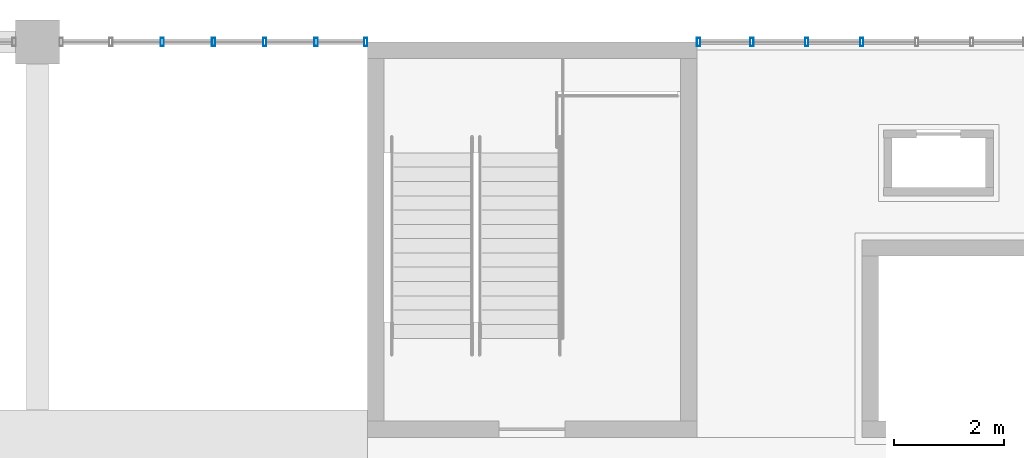
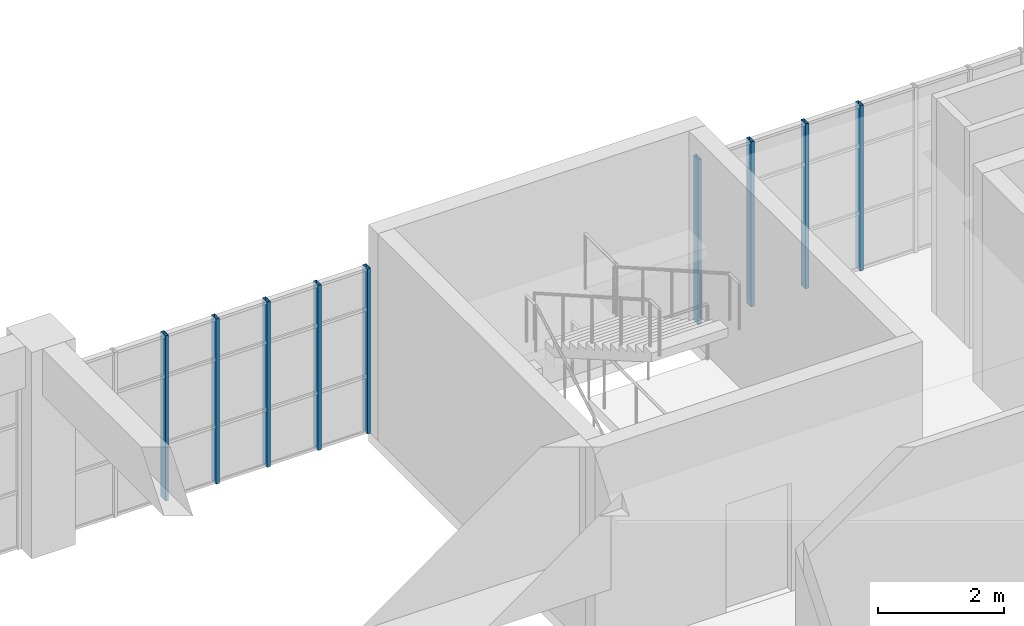
# One storey, part 21 of 47: 9 members, 2 elements without a shape of their own.
"""IFC4 building model written with IfcOpenShell, lengths in metres."""

from ifc_helpers import new_model, si_unit, direction, frame, origin, origin_2d, place, context, subcontext, project, spatial, hollow_rectangle, extrude, material, material_profile, profile_set, type_object, element, aggregate, save


model = new_model("IFC4")

# Units and contexts
model_context = context("Model", 3, precision=1e-05, world=origin(), true_north=direction((0.0, 1.0)))
body_context = subcontext(model_context, "Body", "Model", "MODEL_VIEW")
ifc_project = project(units=[si_unit("LENGTHUNIT", "METRE"), si_unit("AREAUNIT", "SQUARE_METRE"), si_unit("VOLUMEUNIT", "CUBIC_METRE"), si_unit("PLANEANGLEUNIT", "RADIAN"), si_unit("MASSUNIT", "GRAM", prefix="KILO")], contexts=[model_context])

# Site, building, storey
site_placement = place(None, origin())
site = spatial("IfcSite", under=ifc_project, at=site_placement, CompositionType="ELEMENT")
building_placement = place(site_placement, origin())
building = spatial("IfcBuilding", under=site, at=building_placement, Name="Laocheng Heights Fire and Rescue Headquarters", CompositionType="ELEMENT")
storey_placement = place(building_placement, frame((0.0, 0.0, 16.800048828125)))
storey = spatial("IfcBuildingStorey", under=building, at=storey_placement, Name="L04", CompositionType="ELEMENT", Elevation=16.800048828125)

# Curtain wall, members
ifc_material_1 = material(Name="Dark anodised aluminium unitised curtain wall, low-e double glazing", Category="aluminium")
curtain_wall_type_1 = type_object("IfcCurtainWallType", Name="CW 5600 x 3200 HQ CONTROL ROOM FACE", PredefinedType="NOTDEFINED", material=ifc_material_1)
curtain_wall_1_placement = place(storey_placement, origin())
curtain_wall_1 = element("IfcCurtainWall", 1, at=curtain_wall_1_placement, inside=storey, type_object=curtain_wall_type_1, Name="X25-X HQ NORTH L04", PredefinedType="NOTDEFINED")
ifc_material_2 = material(Name="Dark anodised aluminium 6063-T5 extrusion", Category="aluminium")
ifc_material_profile = material_profile(ifc_material_2, hollow_rectangle(XDim=0.14990234375, YDim=0.06005859375, WallThickness=0.0029296875, at=origin_2d()), Name="AL MULLION 150x60x3 HQ CONTROL ROOM FACE")
ifc_profile_set = profile_set([ifc_material_profile], Name="Dark anodised aluminium 6063-T5 extrusion")
member_type = type_object("IfcMemberType", Name="AL MULLION 150x60x3 HQ CONTROL ROOM FACE", PredefinedType="MULLION", material=ifc_profile_set)
member_1_placement = place(storey_placement, frame((62.2666015625, 72.0, 0.0), z_axis=(0.0, 0.0, 1.0), x_axis=(0.0, 1.0, 0.0)))
member_1 = element("IfcMember", 2, at=member_1_placement, type_object=member_type, Name="X25-X mullion 3", PredefinedType="MULLION", context=body_context, shape_type="SweptSolid", body=[
    extrude(hollow_rectangle(XDim=0.14990234375, YDim=0.06005859375, WallThickness=0.0029296875, at=origin_2d()), origin(), (0.0, 0.0, 1.0), 3.199951171875),
])
member_2_placement = place(storey_placement, frame((63.199951171875, 72.0, 0.0), z_axis=(0.0, 0.0, 1.0), x_axis=(0.0, 1.0, 0.0)))
member_2 = element("IfcMember", 3, at=member_2_placement, type_object=member_type, Name="X25-X mullion 4", PredefinedType="MULLION", context=body_context, shape_type="SweptSolid", body=[
    extrude(hollow_rectangle(XDim=0.14990234375, YDim=0.06005859375, WallThickness=0.0029296875, at=origin_2d()), origin(), (0.0, 0.0, 1.0), 3.199951171875),
])
member_3_placement = place(storey_placement, frame((64.13330078125, 72.0, 0.0), z_axis=(0.0, 0.0, 1.0), x_axis=(0.0, 1.0, 0.0)))
member_3 = element("IfcMember", 4, at=member_3_placement, type_object=member_type, Name="X25-X mullion 5", PredefinedType="MULLION", context=body_context, shape_type="SweptSolid", body=[
    extrude(hollow_rectangle(XDim=0.14990234375, YDim=0.06005859375, WallThickness=0.0029296875, at=origin_2d()), origin(), (0.0, 0.0, 1.0), 3.199951171875),
])
member_4_placement = place(storey_placement, frame((65.066650390625, 72.0, 0.0), z_axis=(0.0, 0.0, 1.0), x_axis=(0.0, 1.0, 0.0)))
member_4 = element("IfcMember", 5, at=member_4_placement, type_object=member_type, Name="X25-X mullion 6", PredefinedType="MULLION", context=body_context, shape_type="SweptSolid", body=[
    extrude(hollow_rectangle(XDim=0.14990234375, YDim=0.06005859375, WallThickness=0.0029296875, at=origin_2d()), origin(), (0.0, 0.0, 1.0), 3.199951171875),
])
member_5_placement = place(storey_placement, frame((65.969970703125, 72.0, 0.0), z_axis=(0.0, 0.0, 1.0), x_axis=(0.0, 1.0, 0.0)))
member_5 = element("IfcMember", 6, at=member_5_placement, type_object=member_type, Name="X25-X mullion 7", PredefinedType="MULLION", context=body_context, shape_type="SweptSolid", body=[
    extrude(hollow_rectangle(XDim=0.14990234375, YDim=0.06005859375, WallThickness=0.0029296875, at=origin_2d()), origin(), (0.0, 0.0, 1.0), 3.199951171875),
])
aggregate(curtain_wall_1, [member_1, member_2, member_3, member_4, member_5])

ifc_material_3 = material(Name="Dark anodised aluminium unitised curtain wall, low-e double glazing", Category="aluminium")
curtain_wall_type_2 = type_object("IfcCurtainWallType", Name="CW 6000 x 3200 HQ CONTROL ROOM FACE", PredefinedType="NOTDEFINED", material=ifc_material_3)
curtain_wall_2_placement = place(storey_placement, origin())
curtain_wall_2 = element("IfcCurtainWall", 7, at=curtain_wall_2_placement, inside=storey, type_object=curtain_wall_type_2, Name="X23-X HQ NORTH L04", PredefinedType="NOTDEFINED")
member_6_placement = place(storey_placement, frame((72.030029296875, 72.0, 0.0), z_axis=(0.0, 0.0, 1.0), x_axis=(0.0, 1.0, 0.0)))
member_6 = element("IfcMember", 8, at=member_6_placement, type_object=member_type, Name="X23-X mullion 1", PredefinedType="MULLION", context=body_context, shape_type="SweptSolid", body=[
    extrude(hollow_rectangle(XDim=0.14990234375, YDim=0.06005859375, WallThickness=0.0029296875, at=origin_2d()), origin(), (0.0, 0.0, 1.0), 3.199951171875),
])
member_7_placement = place(storey_placement, frame((73.0, 72.0, 0.0), z_axis=(0.0, 0.0, 1.0), x_axis=(0.0, 1.0, 0.0)))
member_7 = element("IfcMember", 9, at=member_7_placement, type_object=member_type, Name="X23-X mullion 2", PredefinedType="MULLION", context=body_context, shape_type="SweptSolid", body=[
    extrude(hollow_rectangle(XDim=0.14990234375, YDim=0.06005859375, WallThickness=0.0029296875, at=origin_2d()), origin(), (0.0, 0.0, 1.0), 3.199951171875),
])
member_8_placement = place(storey_placement, frame((74.0, 72.0, 0.0), z_axis=(0.0, 0.0, 1.0), x_axis=(0.0, 1.0, 0.0)))
member_8 = element("IfcMember", 10, at=member_8_placement, type_object=member_type, Name="X23-X mullion 3", PredefinedType="MULLION", context=body_context, shape_type="SweptSolid", body=[
    extrude(hollow_rectangle(XDim=0.14990234375, YDim=0.06005859375, WallThickness=0.0029296875, at=origin_2d()), origin(), (0.0, 0.0, 1.0), 3.199951171875),
])
member_9_placement = place(storey_placement, frame((75.0, 72.0, 0.0), z_axis=(0.0, 0.0, 1.0), x_axis=(0.0, 1.0, 0.0)))
member_9 = element("IfcMember", 11, at=member_9_placement, type_object=member_type, Name="X23-X mullion 4", PredefinedType="MULLION", context=body_context, shape_type="SweptSolid", body=[
    extrude(hollow_rectangle(XDim=0.14990234375, YDim=0.06005859375, WallThickness=0.0029296875, at=origin_2d()), origin(), (0.0, 0.0, 1.0), 3.199951171875),
])
aggregate(curtain_wall_2, [member_6, member_7, member_8, member_9])

save(model, "model.ifc")
